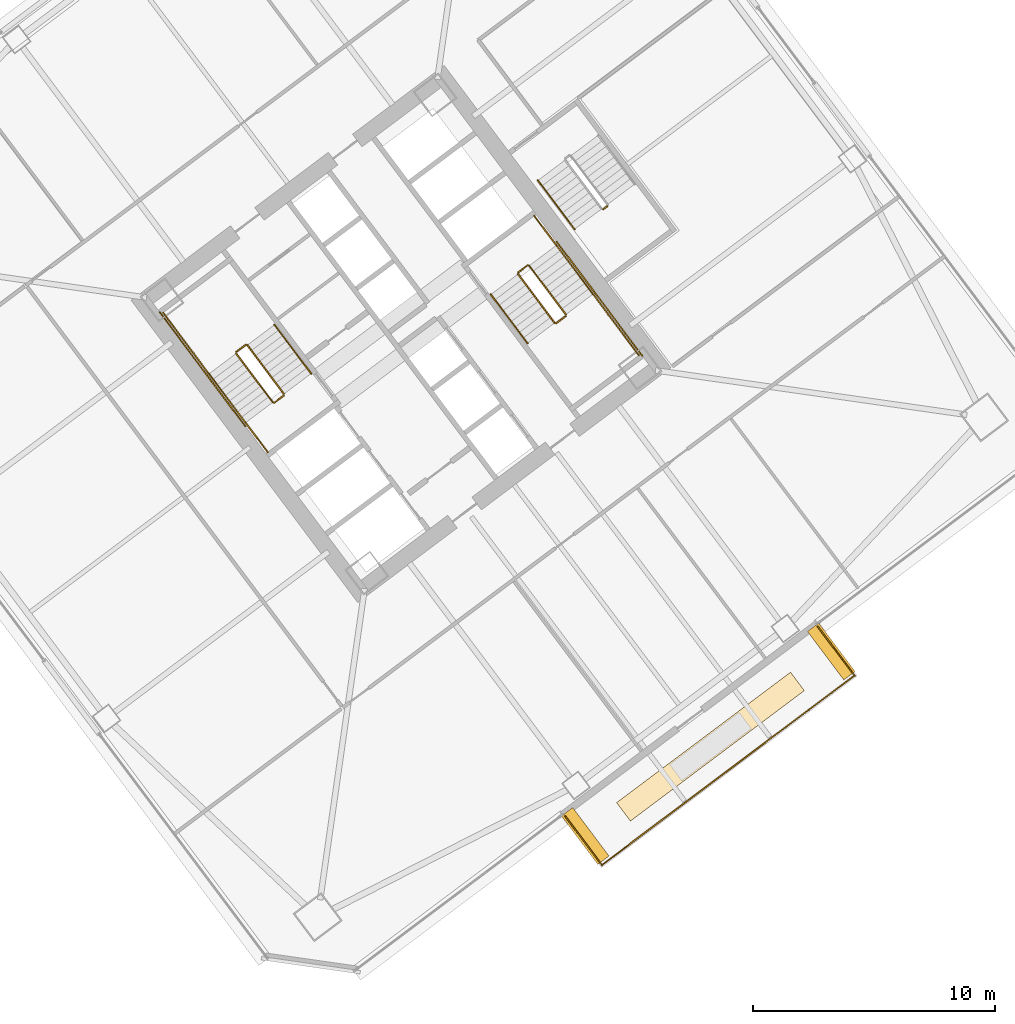
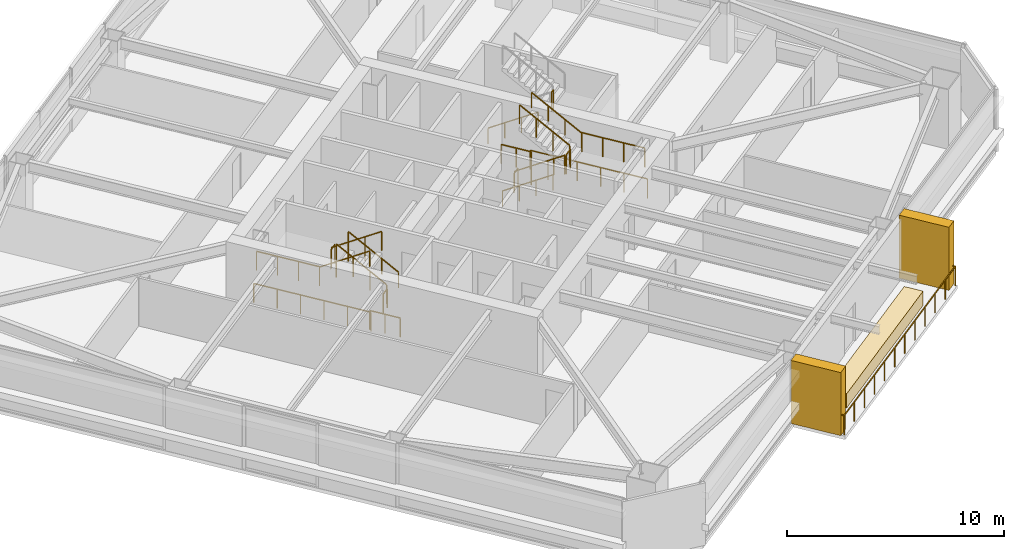
# One storey, part 43 of 46: 23 railings, 3 coverings.
"""IFC4 building model written with IfcOpenShell, lengths in metres."""

from ifc_helpers import new_model, si_unit, direction, frame, origin, origin_2d, place, context, subcontext, project, spatial, rectangle, extrude, material, layer, layer_set, type_object, element, save


model = new_model("IFC4")

# Units and contexts
model_context = context("Model", 3, precision=1e-05, world=origin(), true_north=direction((0.0, 1.0)))
body_context = subcontext(model_context, "Body", "Model", "MODEL_VIEW")
ifc_project = project(units=[si_unit("LENGTHUNIT", "METRE"), si_unit("AREAUNIT", "SQUARE_METRE"), si_unit("VOLUMEUNIT", "CUBIC_METRE"), si_unit("PLANEANGLEUNIT", "RADIAN"), si_unit("MASSUNIT", "GRAM", prefix="KILO")], contexts=[model_context])

# Site, building, storey
site_placement = place(None, origin())
site = spatial("IfcSite", under=ifc_project, at=site_placement, CompositionType="ELEMENT")
building_placement = place(site_placement, origin())
building = spatial("IfcBuilding", under=site, at=building_placement, Name="Tashvorn Skyway Center", CompositionType="ELEMENT")
storey_placement = place(building_placement, frame((0.0, 0.0, 99.14990234375)))
storey = spatial("IfcBuildingStorey", under=building, at=storey_placement, Name="L26", CompositionType="ELEMENT", Elevation=99.14990234375)

# Coverings
ifc_material_1 = material(Name="Precast concrete C40/50", Category="concrete")
ifc_layer = layer(ifc_material_1, 0.35009765625)
ifc_layer_set = layer_set([ifc_layer], Name="Precast concrete C40/50")
covering_type = type_object("IfcCoveringType", Name="COV-STONE-TRIM", PredefinedType="CLADDING", material=ifc_layer_set)
for number, where, z_axis, x_axis, name in (
    (1, (131.77001953125, 18.889892578125, 0.0), (0.0, 0.0, 1.0), (-0.799999996291, -0.600000004945, 0.0), "Tower 2 L26 Sky Garden Loggia Pier L"),
    (2, (121.610107421875, 11.27001953125, 0.0), (0.0, 0.0, 1.0), (-0.799999996291, -0.600000004945, 0.0), "Tower 2 L26 Sky Garden Loggia Pier R"),
):
    element("IfcCovering", number, at=place(storey_placement, frame(where, z_axis=z_axis, x_axis=x_axis)), inside=storey, type_object=covering_type, Name=name, PredefinedType="CLADDING", context=body_context, shape_type="SweptSolid", body=[
        extrude(rectangle(XDim=0.580078125, YDim=2.5, at=origin_2d()), origin(), (0.0, 0.0, 1.0), 3.550048828125),
    ])
covering_placement = place(storey_placement, frame((126.780029296875, 14.9599609375, 0.0), z_axis=(0.0, 0.0, 1.0), x_axis=(-0.799999996291, -0.600000004945, 0.0)))
element("IfcCovering", 3, at=covering_placement, inside=storey, type_object=covering_type, Name="Tower 2 L26 Sky Garden Stone Planter Bed", PredefinedType="CLADDING", context=body_context, shape_type="SweptSolid", body=[
    extrude(rectangle(XDim=8.97607421875, YDim=0.949951171875, at=origin_2d()), origin(), (0.0, 0.0, 1.0), 0.800048828125),
])

# Railings
ifc_material_2 = material(Name="Galvanized steel S355", Category="steel")
railing_type_1 = type_object("IfcRailingType", Name="RAIL-GUARD-1120", PredefinedType="GUARDRAIL", material=ifc_material_2)
railing_1_placement = place(storey_placement, frame((120.783935546875, 12.087890625, 0.0)))
element("IfcRailing", 4, at=railing_1_placement, inside=storey, type_object=railing_type_1, Name="L26 Tower 2 Terrace Guardrail 01", PredefinedType="GUARDRAIL", context=body_context, shape_type="SweptSolid", body=[
    extrude(rectangle(XDim=0.048095703125, YDim=0.048095703125, at=origin_2d()), frame((0.0, 0.0, 1.09619140625), z_axis=(0.60001550166, -0.79998837352, 0.0), x_axis=(0.79998837352, 0.60001550166, 0.0)), (0.0, 0.0, 1.0), 2.519775390625),
    extrude(rectangle(XDim=0.0419921875, YDim=0.0419921875, at=origin_2d()), origin(), (0.0, 0.0, 1.0), 1.072021484375),
    extrude(rectangle(XDim=0.0419921875, YDim=0.0419921875, at=origin_2d()), frame((0.50390625, -0.671875, 0.0)), (0.0, 0.0, 1.0), 1.072021484375),
    extrude(rectangle(XDim=0.0419921875, YDim=0.0419921875, at=origin_2d()), frame((1.008056640625, -1.343994140625, 0.0)), (0.0, 0.0, 1.0), 1.072021484375),
    extrude(rectangle(XDim=0.0419921875, YDim=0.0419921875, at=origin_2d()), frame((1.511962890625, -2.015869140625, 0.0)), (0.0, 0.0, 1.0), 1.072021484375),
])
railing_2_placement = place(storey_placement, frame((122.2958984375, 10.072021484375, 0.0)))
element("IfcRailing", 5, at=railing_2_placement, inside=storey, type_object=railing_type_1, Name="L26 Tower 2 Terrace Guardrail 02", PredefinedType="GUARDRAIL", context=body_context, shape_type="SweptSolid", body=[
    extrude(rectangle(XDim=0.048095703125, YDim=0.048095703125, at=origin_2d()), frame((0.0, 0.0, 1.09619140625), z_axis=(0.800004493333, 0.599994008843, 0.0), x_axis=(-0.599994008843, 0.800004493333, 0.0)), (0.0, 0.0, 1.0), 13.0400390625),
    extrude(rectangle(XDim=0.0419921875, YDim=0.0419921875, at=origin_2d()), origin(), (0.0, 0.0, 1.0), 1.072021484375),
    extrude(rectangle(XDim=0.0419921875, YDim=0.0419921875, at=origin_2d()), frame((0.948486328125, 0.711181640625, 0.0)), (0.0, 0.0, 1.0), 1.072021484375),
    extrude(rectangle(XDim=0.0419921875, YDim=0.0419921875, at=origin_2d()), frame((1.896728515625, 1.422607421875, 0.0)), (0.0, 0.0, 1.0), 1.072021484375),
    extrude(rectangle(XDim=0.0419921875, YDim=0.0419921875, at=origin_2d()), frame((2.84521484375, 2.1337890625, 0.0)), (0.0, 0.0, 1.0), 1.072021484375),
    extrude(rectangle(XDim=0.0419921875, YDim=0.0419921875, at=origin_2d()), frame((3.79345703125, 2.844970703125, 0.0)), (0.0, 0.0, 1.0), 1.072021484375),
    extrude(rectangle(XDim=0.0419921875, YDim=0.0419921875, at=origin_2d()), frame((4.741943359375, 3.556396484375, 0.0)), (0.0, 0.0, 1.0), 1.072021484375),
    extrude(rectangle(XDim=0.0419921875, YDim=0.0419921875, at=origin_2d()), frame((5.690185546875, 4.267578125, 0.0)), (0.0, 0.0, 1.0), 1.072021484375),
    extrude(rectangle(XDim=0.0419921875, YDim=0.0419921875, at=origin_2d()), frame((6.638671875, 4.97900390625, 0.0)), (0.0, 0.0, 1.0), 1.072021484375),
    extrude(rectangle(XDim=0.0419921875, YDim=0.0419921875, at=origin_2d()), frame((7.5869140625, 5.690185546875, 0.0)), (0.0, 0.0, 1.0), 1.072021484375),
    extrude(rectangle(XDim=0.0419921875, YDim=0.0419921875, at=origin_2d()), frame((8.535400390625, 6.4013671875, 0.0)), (0.0, 0.0, 1.0), 1.072021484375),
    extrude(rectangle(XDim=0.0419921875, YDim=0.0419921875, at=origin_2d()), frame((9.483642578125, 7.11279296875, 0.0)), (0.0, 0.0, 1.0), 1.072021484375),
    extrude(rectangle(XDim=0.0419921875, YDim=0.0419921875, at=origin_2d()), frame((10.43212890625, 7.823974609375, 0.0)), (0.0, 0.0, 1.0), 1.072021484375),
])
railing_3_placement = place(storey_placement, frame((132.72802734375, 17.89599609375, 0.0)))
element("IfcRailing", 6, at=railing_3_placement, inside=storey, type_object=railing_type_1, Name="L26 Tower 2 Terrace Guardrail 03", PredefinedType="GUARDRAIL", context=body_context, shape_type="SweptSolid", body=[
    extrude(rectangle(XDim=0.048095703125, YDim=0.048095703125, at=origin_2d()), frame((0.0, 0.0, 1.09619140625), z_axis=(-0.599968998406, 0.800023250257, 0.0), x_axis=(-0.800023250257, -0.599968998406, 0.0)), (0.0, 0.0, 1.0), 2.52001953125),
    extrude(rectangle(XDim=0.0419921875, YDim=0.0419921875, at=origin_2d()), origin(), (0.0, 0.0, 1.0), 1.072021484375),
    extrude(rectangle(XDim=0.0419921875, YDim=0.0419921875, at=origin_2d()), frame((-0.50390625, 0.672119140625, 0.0)), (0.0, 0.0, 1.0), 1.072021484375),
    extrude(rectangle(XDim=0.0419921875, YDim=0.0419921875, at=origin_2d()), frame((-1.008056640625, 1.343994140625, 0.0)), (0.0, 0.0, 1.0), 1.072021484375),
    extrude(rectangle(XDim=0.0419921875, YDim=0.0419921875, at=origin_2d()), frame((-1.511962890625, 2.01611328125, 0.0)), (0.0, 0.0, 1.0), 1.072021484375),
])
ifc_material_3 = material(Name="Brushed stainless steel 316", Category="steel")
railing_type_2 = type_object("IfcRailingType", Name="RAIL-HAND-920", PredefinedType="HANDRAIL", material=ifc_material_3)
railing_4_placement = place(storey_placement, frame((110.2880859375, 30.365966796875, 0.177490234375)))
element("IfcRailing", 7, at=railing_4_placement, inside=storey, type_object=railing_type_2, Name="L26 ST-T2-1 stair handrail 1", PredefinedType="HANDRAIL", context=body_context, shape_type="SweptSolid", body=[
    extrude(rectangle(XDim=0.048095703125, YDim=0.048095703125, at=origin_2d()), frame((0.0, 0.0, 0.8759765625), z_axis=(-0.506779409603, 0.675651334276, 0.53541563714), x_axis=(-0.799976749893, -0.600030998891, 0.0)), (0.0, 0.0, 1.0), 2.98388671875),
    extrude(rectangle(XDim=0.0419921875, YDim=0.0419921875, at=origin_2d()), origin(), (0.0, 0.0, 1.0), 0.851806640625),
    extrude(rectangle(XDim=0.0419921875, YDim=0.0419921875, at=origin_2d()), frame((-0.504150390625, 0.672119140625, 0.532470703125)), (0.0, 0.0, 1.0), 0.851806640625),
    extrude(rectangle(XDim=0.0419921875, YDim=0.0419921875, at=origin_2d()), frame((-1.008056640625, 1.343994140625, 1.065185546875)), (0.0, 0.0, 1.0), 0.851806640625),
    extrude(rectangle(XDim=0.0419921875, YDim=0.0419921875, at=origin_2d()), frame((-1.51220703125, 2.01611328125, 1.59765625)), (0.0, 0.0, 1.0), 0.851806640625),
])
railing_5_placement = place(storey_placement, frame((106.072021484375, 30.35400390625, 1.95263671875)))
element("IfcRailing", 8, at=railing_5_placement, inside=storey, type_object=railing_type_2, Name="L26 ST-T2-1 stair handrail 2", PredefinedType="HANDRAIL", context=body_context, shape_type="SweptSolid", body=[
    extrude(rectangle(XDim=0.048095703125, YDim=0.048095703125, at=origin_2d()), frame((0.0, 0.0, 0.8759765625), z_axis=(0.506740800098, -0.675708949977, 0.535379469569), x_axis=(0.800023250257, 0.599968998406, 0.0)), (0.0, 0.0, 1.0), 2.983642578125),
    extrude(rectangle(XDim=0.0419921875, YDim=0.0419921875, at=origin_2d()), origin(), (0.0, 0.0, 1.0), 0.851806640625),
    extrude(rectangle(XDim=0.0419921875, YDim=0.0419921875, at=origin_2d()), frame((0.50390625, -0.672119140625, 0.532470703125)), (0.0, 0.0, 1.0), 0.851806640625),
    extrude(rectangle(XDim=0.0419921875, YDim=0.0419921875, at=origin_2d()), frame((1.008056640625, -1.343994140625, 1.06494140625)), (0.0, 0.0, 1.0), 0.851806640625),
    extrude(rectangle(XDim=0.0419921875, YDim=0.0419921875, at=origin_2d()), frame((1.511962890625, -2.01611328125, 1.597412109375)), (0.0, 0.0, 1.0), 0.851806640625),
])
railing_6_placement = place(storey_placement, frame((117.7119140625, 33.634033203125, 0.177490234375)))
element("IfcRailing", 9, at=railing_6_placement, inside=storey, type_object=railing_type_2, Name="L26 ST-T2-2 stair handrail 1", PredefinedType="HANDRAIL", context=body_context, shape_type="SweptSolid", body=[
    extrude(rectangle(XDim=0.048095703125, YDim=0.048095703125, at=origin_2d()), frame((0.0, 0.0, 0.8759765625), z_axis=(0.506779409603, -0.675651334276, 0.53541563714), x_axis=(0.799976749893, 0.600030998891, 0.0)), (0.0, 0.0, 1.0), 2.98388671875),
    extrude(rectangle(XDim=0.0419921875, YDim=0.0419921875, at=origin_2d()), origin(), (0.0, 0.0, 1.0), 0.851806640625),
    extrude(rectangle(XDim=0.0419921875, YDim=0.0419921875, at=origin_2d()), frame((0.504150390625, -0.672119140625, 0.532470703125)), (0.0, 0.0, 1.0), 0.851806640625),
    extrude(rectangle(XDim=0.0419921875, YDim=0.0419921875, at=origin_2d()), frame((1.008056640625, -1.343994140625, 1.065185546875)), (0.0, 0.0, 1.0), 0.851806640625),
    extrude(rectangle(XDim=0.0419921875, YDim=0.0419921875, at=origin_2d()), frame((1.51220703125, -2.01611328125, 1.59765625)), (0.0, 0.0, 1.0), 0.851806640625),
])
railing_7_placement = place(storey_placement, frame((121.927978515625, 33.64599609375, 1.95263671875)))
element("IfcRailing", 10, at=railing_7_placement, inside=storey, type_object=railing_type_2, Name="L26 ST-T2-2 stair handrail 2", PredefinedType="HANDRAIL", context=body_context, shape_type="SweptSolid", body=[
    extrude(rectangle(XDim=0.048095703125, YDim=0.048095703125, at=origin_2d()), frame((0.0, 0.0, 0.8759765625), z_axis=(-0.506740800098, 0.675708949977, 0.535379469569), x_axis=(-0.800023250257, -0.599968998406, 0.0)), (0.0, 0.0, 1.0), 2.983642578125),
    extrude(rectangle(XDim=0.0419921875, YDim=0.0419921875, at=origin_2d()), origin(), (0.0, 0.0, 1.0), 0.851806640625),
    extrude(rectangle(XDim=0.0419921875, YDim=0.0419921875, at=origin_2d()), frame((-0.50390625, 0.672119140625, 0.532470703125)), (0.0, 0.0, 1.0), 0.851806640625),
    extrude(rectangle(XDim=0.0419921875, YDim=0.0419921875, at=origin_2d()), frame((-1.008056640625, 1.343994140625, 1.06494140625)), (0.0, 0.0, 1.0), 0.851806640625),
    extrude(rectangle(XDim=0.0419921875, YDim=0.0419921875, at=origin_2d()), frame((-1.511962890625, 2.01611328125, 1.597412109375)), (0.0, 0.0, 1.0), 0.851806640625),
])
railing_8_placement = place(storey_placement, frame((119.656005859375, 38.342041015625, 0.177490234375)))
element("IfcRailing", 11, at=railing_8_placement, inside=storey, type_object=railing_type_2, Name="L26 ST-T2-3 stair handrail 1", PredefinedType="HANDRAIL", context=body_context, shape_type="SweptSolid", body=[
    extrude(rectangle(XDim=0.048095703125, YDim=0.048095703125, at=origin_2d()), frame((0.0, 0.0, 0.8759765625), z_axis=(0.506718600913, -0.675679348675, 0.535437836974), x_axis=(0.800023250257, 0.599968998406, 0.0)), (0.0, 0.0, 1.0), 2.98388671875),
    extrude(rectangle(XDim=0.0419921875, YDim=0.0419921875, at=origin_2d()), origin(), (0.0, 0.0, 1.0), 0.851806640625),
    extrude(rectangle(XDim=0.0419921875, YDim=0.0419921875, at=origin_2d()), frame((0.50390625, -0.672119140625, 0.532470703125)), (0.0, 0.0, 1.0), 0.851806640625),
    extrude(rectangle(XDim=0.0419921875, YDim=0.0419921875, at=origin_2d()), frame((1.008056640625, -1.343994140625, 1.065185546875)), (0.0, 0.0, 1.0), 0.851806640625),
    extrude(rectangle(XDim=0.0419921875, YDim=0.0419921875, at=origin_2d()), frame((1.511962890625, -2.01611328125, 1.59765625)), (0.0, 0.0, 1.0), 0.851806640625),
])
ifc_material_4 = material(Name="Painted galvanized steel S355", Category="steel")
railing_type_3 = type_object("IfcRailingType", Name="RAIL-STGUARD-1100", PredefinedType="GUARDRAIL", material=ifc_material_4)
railing_9_placement = place(storey_placement, frame((109.16796875, 29.52587890625, 0.177490234375)))
element("IfcRailing", 12, at=railing_9_placement, inside=storey, type_object=railing_type_3, Name="L26 ST-T2-1 stair guard 1", PredefinedType="GUARDRAIL", context=body_context, shape_type="SweptSolid", body=[
    extrude(rectangle(XDim=0.048095703125, YDim=0.048095703125, at=origin_2d()), frame((0.0, 0.0, 1.076171875), z_axis=(-0.506718600913, 0.675679348675, 0.535437836974), x_axis=(-0.800023250257, -0.599968998406, 0.0)), (0.0, 0.0, 1.0), 2.98388671875),
    extrude(rectangle(XDim=0.0419921875, YDim=0.0419921875, at=origin_2d()), origin(), (0.0, 0.0, 1.0), 1.052001953125),
    extrude(rectangle(XDim=0.0419921875, YDim=0.0419921875, at=origin_2d()), frame((-0.50390625, 0.672119140625, 0.532470703125)), (0.0, 0.0, 1.0), 1.052001953125),
    extrude(rectangle(XDim=0.0419921875, YDim=0.0419921875, at=origin_2d()), frame((-1.008056640625, 1.343994140625, 1.065185546875)), (0.0, 0.0, 1.0), 1.052001953125),
    extrude(rectangle(XDim=0.0419921875, YDim=0.0419921875, at=origin_2d()), frame((-1.511962890625, 2.01611328125, 1.59765625)), (0.0, 0.0, 1.0), 1.052001953125),
])
railing_10_placement = place(storey_placement, frame((107.5859375, 31.552001953125, 1.775146484375)))
element("IfcRailing", 13, at=railing_10_placement, inside=storey, type_object=railing_type_3, Name="L26 ST-T2-1 stair guard 2", PredefinedType="GUARDRAIL", context=body_context, shape_type="SweptSolid", body=[
    extrude(rectangle(XDim=0.048095703125, YDim=0.048095703125, at=origin_2d()), frame((0.0, 0.0, 1.076171875), z_axis=(-0.799938970639, -0.600081363861, 0.0), x_axis=(0.600081363861, -0.799938970639, 0.0)), (0.0, 0.0, 1.0), 0.47998046875),
    extrude(rectangle(XDim=0.0419921875, YDim=0.0419921875, at=origin_2d()), origin(), (0.0, 0.0, 1.0), 1.052001953125),
    extrude(rectangle(XDim=0.0419921875, YDim=0.0419921875, at=origin_2d()), frame((-0.384033203125, -0.2880859375, 0.0)), (0.0, 0.0, 1.0), 1.052001953125),
])
railing_11_placement = place(storey_placement, frame((106.072021484375, 30.35400390625, 1.775146484375)))
element("IfcRailing", 14, at=railing_11_placement, inside=storey, type_object=railing_type_3, Name="L26 ST-T2-1 stair guard 3", PredefinedType="GUARDRAIL", context=body_context, shape_type="SweptSolid", body=[
    extrude(rectangle(XDim=0.048095703125, YDim=0.048095703125, at=origin_2d()), frame((0.0, 0.0, 1.076171875), z_axis=(-0.599987638607, 0.800009270896, 0.0), x_axis=(-0.800009270896, -0.599987638607, 0.0)), (0.0, 0.0, 1.0), 3.16015625),
    extrude(rectangle(XDim=0.0419921875, YDim=0.0419921875, at=origin_2d()), origin(), (0.0, 0.0, 1.0), 1.052001953125),
    extrude(rectangle(XDim=0.0419921875, YDim=0.0419921875, at=origin_2d()), frame((-0.632080078125, 0.8427734375, 0.0)), (0.0, 0.0, 1.0), 1.052001953125),
    extrude(rectangle(XDim=0.0419921875, YDim=0.0419921875, at=origin_2d()), frame((-1.263916015625, 1.685302734375, 0.0)), (0.0, 0.0, 1.0), 1.052001953125),
    extrude(rectangle(XDim=0.0419921875, YDim=0.0419921875, at=origin_2d()), frame((-1.89599609375, 2.528076171875, 0.0)), (0.0, 0.0, 1.0), 1.052001953125),
])
railing_12_placement = place(storey_placement, frame((107.19189453125, 31.194091796875, 1.95263671875)))
element("IfcRailing", 15, at=railing_12_placement, inside=storey, type_object=railing_type_3, Name="L26 ST-T2-1 stair guard 4", PredefinedType="GUARDRAIL", context=body_context, shape_type="SweptSolid", body=[
    extrude(rectangle(XDim=0.048095703125, YDim=0.048095703125, at=origin_2d()), frame((0.0, 0.0, 1.076171875), z_axis=(0.506801609611, -0.675680931896, 0.535357270211), x_axis=(0.799976749893, 0.600030998891, 0.0)), (0.0, 0.0, 1.0), 2.98388671875),
    extrude(rectangle(XDim=0.0419921875, YDim=0.0419921875, at=origin_2d()), origin(), (0.0, 0.0, 1.0), 1.052001953125),
    extrude(rectangle(XDim=0.0419921875, YDim=0.0419921875, at=origin_2d()), frame((0.504150390625, -0.672119140625, 0.532470703125)), (0.0, 0.0, 1.0), 1.052001953125),
    extrude(rectangle(XDim=0.0419921875, YDim=0.0419921875, at=origin_2d()), frame((1.008056640625, -1.343994140625, 1.06494140625)), (0.0, 0.0, 1.0), 1.052001953125),
    extrude(rectangle(XDim=0.0419921875, YDim=0.0419921875, at=origin_2d()), frame((1.51220703125, -2.01611328125, 1.597412109375)), (0.0, 0.0, 1.0), 1.052001953125),
])
railing_13_placement = place(storey_placement, frame((109.157958984375, 29.4560546875, 0.0)))
element("IfcRailing", 16, at=railing_13_placement, inside=storey, type_object=railing_type_3, Name="L26 ST-T2-1 stair guard 5", PredefinedType="GUARDRAIL", context=body_context, shape_type="SweptSolid", body=[
    extrude(rectangle(XDim=0.048095703125, YDim=0.048095703125, at=origin_2d()), frame((0.0, 0.0, 1.076171875), z_axis=(-0.799938970639, -0.600081363861, 0.0), x_axis=(0.600081363861, -0.799938970639, 0.0)), (0.0, 0.0, 1.0), 0.47998046875),
    extrude(rectangle(XDim=0.0419921875, YDim=0.0419921875, at=origin_2d()), origin(), (0.0, 0.0, 1.0), 1.052001953125),
    extrude(rectangle(XDim=0.0419921875, YDim=0.0419921875, at=origin_2d()), frame((-0.384033203125, -0.2880859375, 0.0)), (0.0, 0.0, 1.0), 1.052001953125),
])
railing_14_placement = place(storey_placement, frame((108.49609375, 27.1220703125, 0.0)))
element("IfcRailing", 17, at=railing_14_placement, inside=storey, type_object=railing_type_3, Name="L26 ST-T2-1 stair guard 6", PredefinedType="GUARDRAIL", context=body_context, shape_type="SweptSolid", body=[
    extrude(rectangle(XDim=0.048095703125, YDim=0.048095703125, at=origin_2d()), frame((0.0, 0.0, 1.076171875), z_axis=(-0.600102796382, 0.799922892393, 0.0), x_axis=(-0.799922892393, -0.600102796382, 0.0)), (0.0, 0.0, 1.0), 1.52001953125),
    extrude(rectangle(XDim=0.0419921875, YDim=0.0419921875, at=origin_2d()), origin(), (0.0, 0.0, 1.0), 1.052001953125),
    extrude(rectangle(XDim=0.0419921875, YDim=0.0419921875, at=origin_2d()), frame((-0.4560546875, 0.60791015625, 0.0)), (0.0, 0.0, 1.0), 1.052001953125),
    extrude(rectangle(XDim=0.0419921875, YDim=0.0419921875, at=origin_2d()), frame((-0.912109375, 1.2158203125, 0.0)), (0.0, 0.0, 1.0), 1.052001953125),
])
railing_15_placement = place(storey_placement, frame((107.56396484375, 28.197998046875, 0.0)))
element("IfcRailing", 18, at=railing_15_placement, inside=storey, type_object=railing_type_3, Name="L26 ST-T2-1 stair guard 7", PredefinedType="GUARDRAIL", context=body_context, shape_type="SweptSolid", body=[
    extrude(rectangle(XDim=0.048095703125, YDim=0.048095703125, at=origin_2d()), frame((0.0, 0.0, 1.076171875), z_axis=(-0.6, 0.8, 0.0), x_axis=(-0.8, -0.6, 0.0)), (0.0, 0.0, 1.0), 5.880126953125),
    extrude(rectangle(XDim=0.0419921875, YDim=0.0419921875, at=origin_2d()), origin(), (0.0, 0.0, 1.0), 1.052001953125),
    extrude(rectangle(XDim=0.0419921875, YDim=0.0419921875, at=origin_2d()), frame((-0.70556640625, 0.94091796875, 0.0)), (0.0, 0.0, 1.0), 1.052001953125),
    extrude(rectangle(XDim=0.0419921875, YDim=0.0419921875, at=origin_2d()), frame((-1.4111328125, 1.881591796875, 0.0)), (0.0, 0.0, 1.0), 1.052001953125),
    extrude(rectangle(XDim=0.0419921875, YDim=0.0419921875, at=origin_2d()), frame((-2.116943359375, 2.822509765625, 0.0)), (0.0, 0.0, 1.0), 1.052001953125),
    extrude(rectangle(XDim=0.0419921875, YDim=0.0419921875, at=origin_2d()), frame((-2.822509765625, 3.76318359375, 0.0)), (0.0, 0.0, 1.0), 1.052001953125),
    extrude(rectangle(XDim=0.0419921875, YDim=0.0419921875, at=origin_2d()), frame((-3.528076171875, 4.7041015625, 0.0)), (0.0, 0.0, 1.0), 1.052001953125),
])
railing_16_placement = place(storey_placement, frame((118.83203125, 34.47412109375, 0.177490234375)))
element("IfcRailing", 19, at=railing_16_placement, inside=storey, type_object=railing_type_3, Name="L26 ST-T2-2 stair guard 1", PredefinedType="GUARDRAIL", context=body_context, shape_type="SweptSolid", body=[
    extrude(rectangle(XDim=0.048095703125, YDim=0.048095703125, at=origin_2d()), frame((0.0, 0.0, 1.076171875), z_axis=(0.506718600913, -0.675679348675, 0.535437836974), x_axis=(0.800023250257, 0.599968998406, 0.0)), (0.0, 0.0, 1.0), 2.98388671875),
    extrude(rectangle(XDim=0.0419921875, YDim=0.0419921875, at=origin_2d()), origin(), (0.0, 0.0, 1.0), 1.052001953125),
    extrude(rectangle(XDim=0.0419921875, YDim=0.0419921875, at=origin_2d()), frame((0.50390625, -0.672119140625, 0.532470703125)), (0.0, 0.0, 1.0), 1.052001953125),
    extrude(rectangle(XDim=0.0419921875, YDim=0.0419921875, at=origin_2d()), frame((1.008056640625, -1.343994140625, 1.065185546875)), (0.0, 0.0, 1.0), 1.052001953125),
    extrude(rectangle(XDim=0.0419921875, YDim=0.0419921875, at=origin_2d()), frame((1.511962890625, -2.01611328125, 1.59765625)), (0.0, 0.0, 1.0), 1.052001953125),
])
railing_17_placement = place(storey_placement, frame((120.4140625, 32.447998046875, 1.775146484375)))
element("IfcRailing", 20, at=railing_17_placement, inside=storey, type_object=railing_type_3, Name="L26 ST-T2-2 stair guard 2", PredefinedType="GUARDRAIL", context=body_context, shape_type="SweptSolid", body=[
    extrude(rectangle(XDim=0.048095703125, YDim=0.048095703125, at=origin_2d()), frame((0.0, 0.0, 1.076171875), z_axis=(0.799938970639, 0.600081363861, 0.0), x_axis=(-0.600081363861, 0.799938970639, 0.0)), (0.0, 0.0, 1.0), 0.47998046875),
    extrude(rectangle(XDim=0.0419921875, YDim=0.0419921875, at=origin_2d()), origin(), (0.0, 0.0, 1.0), 1.052001953125),
    extrude(rectangle(XDim=0.0419921875, YDim=0.0419921875, at=origin_2d()), frame((0.384033203125, 0.2880859375, 0.0)), (0.0, 0.0, 1.0), 1.052001953125),
])
railing_18_placement = place(storey_placement, frame((121.927978515625, 33.64599609375, 1.775146484375)))
element("IfcRailing", 21, at=railing_18_placement, inside=storey, type_object=railing_type_3, Name="L26 ST-T2-2 stair guard 3", PredefinedType="GUARDRAIL", context=body_context, shape_type="SweptSolid", body=[
    extrude(rectangle(XDim=0.048095703125, YDim=0.048095703125, at=origin_2d()), frame((0.0, 0.0, 1.076171875), z_axis=(0.599987638607, -0.800009270896, 0.0), x_axis=(0.800009270896, 0.599987638607, 0.0)), (0.0, 0.0, 1.0), 3.16015625),
    extrude(rectangle(XDim=0.0419921875, YDim=0.0419921875, at=origin_2d()), origin(), (0.0, 0.0, 1.0), 1.052001953125),
    extrude(rectangle(XDim=0.0419921875, YDim=0.0419921875, at=origin_2d()), frame((0.632080078125, -0.8427734375, 0.0)), (0.0, 0.0, 1.0), 1.052001953125),
    extrude(rectangle(XDim=0.0419921875, YDim=0.0419921875, at=origin_2d()), frame((1.263916015625, -1.685302734375, 0.0)), (0.0, 0.0, 1.0), 1.052001953125),
    extrude(rectangle(XDim=0.0419921875, YDim=0.0419921875, at=origin_2d()), frame((1.89599609375, -2.528076171875, 0.0)), (0.0, 0.0, 1.0), 1.052001953125),
])
railing_19_placement = place(storey_placement, frame((120.80810546875, 32.805908203125, 1.95263671875)))
element("IfcRailing", 22, at=railing_19_placement, inside=storey, type_object=railing_type_3, Name="L26 ST-T2-2 stair guard 4", PredefinedType="GUARDRAIL", context=body_context, shape_type="SweptSolid", body=[
    extrude(rectangle(XDim=0.048095703125, YDim=0.048095703125, at=origin_2d()), frame((0.0, 0.0, 1.076171875), z_axis=(-0.506801609611, 0.675680931896, 0.535357270211), x_axis=(-0.799976749893, -0.600030998891, 0.0)), (0.0, 0.0, 1.0), 2.98388671875),
    extrude(rectangle(XDim=0.0419921875, YDim=0.0419921875, at=origin_2d()), origin(), (0.0, 0.0, 1.0), 1.052001953125),
    extrude(rectangle(XDim=0.0419921875, YDim=0.0419921875, at=origin_2d()), frame((-0.504150390625, 0.672119140625, 0.532470703125)), (0.0, 0.0, 1.0), 1.052001953125),
    extrude(rectangle(XDim=0.0419921875, YDim=0.0419921875, at=origin_2d()), frame((-1.008056640625, 1.343994140625, 1.06494140625)), (0.0, 0.0, 1.0), 1.052001953125),
    extrude(rectangle(XDim=0.0419921875, YDim=0.0419921875, at=origin_2d()), frame((-1.51220703125, 2.01611328125, 1.597412109375)), (0.0, 0.0, 1.0), 1.052001953125),
])
railing_20_placement = place(storey_placement, frame((118.842041015625, 34.5439453125, 0.0)))
element("IfcRailing", 23, at=railing_20_placement, inside=storey, type_object=railing_type_3, Name="L26 ST-T2-2 stair guard 5", PredefinedType="GUARDRAIL", context=body_context, shape_type="SweptSolid", body=[
    extrude(rectangle(XDim=0.048095703125, YDim=0.048095703125, at=origin_2d()), frame((0.0, 0.0, 1.076171875), z_axis=(0.799938970639, 0.600081363861, 0.0), x_axis=(-0.600081363861, 0.799938970639, 0.0)), (0.0, 0.0, 1.0), 0.47998046875),
    extrude(rectangle(XDim=0.0419921875, YDim=0.0419921875, at=origin_2d()), origin(), (0.0, 0.0, 1.0), 1.052001953125),
    extrude(rectangle(XDim=0.0419921875, YDim=0.0419921875, at=origin_2d()), frame((0.384033203125, 0.2880859375, 0.0)), (0.0, 0.0, 1.0), 1.052001953125),
])
railing_21_placement = place(storey_placement, frame((119.50390625, 36.8779296875, 0.0)))
element("IfcRailing", 24, at=railing_21_placement, inside=storey, type_object=railing_type_3, Name="L26 ST-T2-2 stair guard 6", PredefinedType="GUARDRAIL", context=body_context, shape_type="SweptSolid", body=[
    extrude(rectangle(XDim=0.048095703125, YDim=0.048095703125, at=origin_2d()), frame((0.0, 0.0, 1.076171875), z_axis=(0.600102796382, -0.799922892393, 0.0), x_axis=(0.799922892393, 0.600102796382, 0.0)), (0.0, 0.0, 1.0), 1.52001953125),
    extrude(rectangle(XDim=0.0419921875, YDim=0.0419921875, at=origin_2d()), origin(), (0.0, 0.0, 1.0), 1.052001953125),
    extrude(rectangle(XDim=0.0419921875, YDim=0.0419921875, at=origin_2d()), frame((0.4560546875, -0.60791015625, 0.0)), (0.0, 0.0, 1.0), 1.052001953125),
    extrude(rectangle(XDim=0.0419921875, YDim=0.0419921875, at=origin_2d()), frame((0.912109375, -1.2158203125, 0.0)), (0.0, 0.0, 1.0), 1.052001953125),
])
railing_22_placement = place(storey_placement, frame((120.43603515625, 35.802001953125, 0.0)))
element("IfcRailing", 25, at=railing_22_placement, inside=storey, type_object=railing_type_3, Name="L26 ST-T2-2 stair guard 7", PredefinedType="GUARDRAIL", context=body_context, shape_type="SweptSolid", body=[
    extrude(rectangle(XDim=0.048095703125, YDim=0.048095703125, at=origin_2d()), frame((0.0, 0.0, 1.076171875), z_axis=(0.6, -0.8, 0.0), x_axis=(0.8, 0.6, 0.0)), (0.0, 0.0, 1.0), 5.880126953125),
    extrude(rectangle(XDim=0.0419921875, YDim=0.0419921875, at=origin_2d()), origin(), (0.0, 0.0, 1.0), 1.052001953125),
    extrude(rectangle(XDim=0.0419921875, YDim=0.0419921875, at=origin_2d()), frame((0.70556640625, -0.94091796875, 0.0)), (0.0, 0.0, 1.0), 1.052001953125),
    extrude(rectangle(XDim=0.0419921875, YDim=0.0419921875, at=origin_2d()), frame((1.4111328125, -1.881591796875, 0.0)), (0.0, 0.0, 1.0), 1.052001953125),
    extrude(rectangle(XDim=0.0419921875, YDim=0.0419921875, at=origin_2d()), frame((2.116943359375, -2.822509765625, 0.0)), (0.0, 0.0, 1.0), 1.052001953125),
    extrude(rectangle(XDim=0.0419921875, YDim=0.0419921875, at=origin_2d()), frame((2.822509765625, -3.76318359375, 0.0)), (0.0, 0.0, 1.0), 1.052001953125),
    extrude(rectangle(XDim=0.0419921875, YDim=0.0419921875, at=origin_2d()), frame((3.528076171875, -4.7041015625, 0.0)), (0.0, 0.0, 1.0), 1.052001953125),
])
railing_23_placement = place(storey_placement, frame((122.35791015625, 37.156005859375, 1.775146484375)))
element("IfcRailing", 26, at=railing_23_placement, inside=storey, type_object=railing_type_3, Name="L26 ST-T2-3 stair guard 2", PredefinedType="GUARDRAIL", context=body_context, shape_type="SweptSolid", body=[
    extrude(rectangle(XDim=0.048095703125, YDim=0.048095703125, at=origin_2d()), frame((0.0, 0.0, 1.076171875), z_axis=(0.800585412921, 0.599218655098, 0.0), x_axis=(-0.599218655098, 0.800585412921, 0.0)), (0.0, 0.0, 1.0), 0.199951171875),
    extrude(rectangle(XDim=0.0419921875, YDim=0.0419921875, at=origin_2d()), origin(), (0.0, 0.0, 1.0), 1.052001953125),
    extrude(rectangle(XDim=0.0419921875, YDim=0.0419921875, at=origin_2d()), frame((0.16015625, 0.119873046875, 0.0)), (0.0, 0.0, 1.0), 1.052001953125),
])

save(model, "model.ifc")
